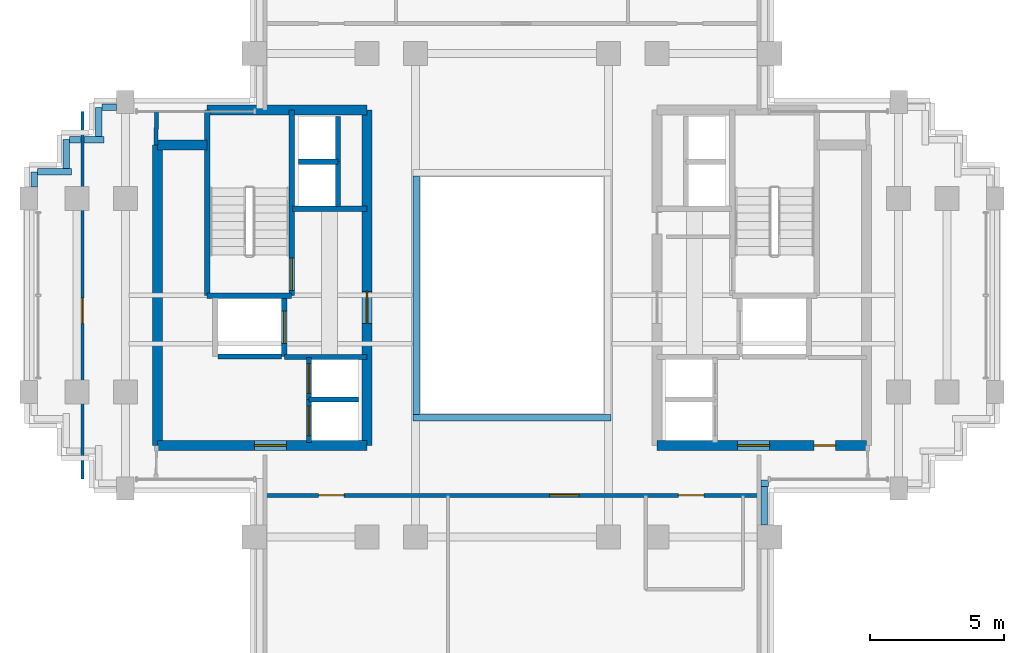
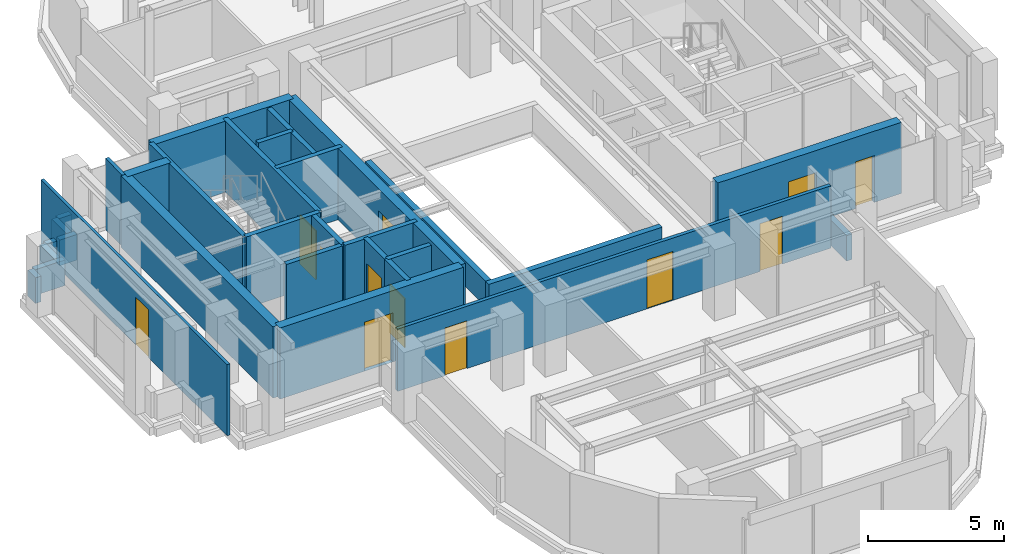
# One storey, part 6 of 11: 33 walls, 12 doors, 12 openings.
"""IFC4 building model written with IfcOpenShell, lengths in metres."""

from ifc_helpers import new_model, si_unit, direction, frame, frame_2d, origin, place, context, subcontext, project, spatial, rectangle, extrude, source, transform, mapped, material, layer, layer_set, type_object, element, fill, save


model = new_model("IFC4")

# Units and contexts
model_context = context("Model", 3, precision=1e-05, world=origin(), true_north=direction((0.0, 1.0)))
body_context = subcontext(model_context, "Body", "Model", "MODEL_VIEW")
ifc_project = project(units=[si_unit("LENGTHUNIT", "METRE"), si_unit("AREAUNIT", "SQUARE_METRE"), si_unit("VOLUMEUNIT", "CUBIC_METRE"), si_unit("PLANEANGLEUNIT", "RADIAN"), si_unit("MASSUNIT", "GRAM", prefix="KILO")], contexts=[model_context])

# Site, building, storey
site_placement = place(None, origin())
site = spatial("IfcSite", under=ifc_project, at=site_placement, CompositionType="ELEMENT")
building_placement = place(site_placement, origin())
building = spatial("IfcBuilding", under=site, at=building_placement, Name="Keilestroom Media Tower", CompositionType="ELEMENT")
storey_placement = place(building_placement, frame((0.0, 0.0, 174.0)))
storey = spatial("IfcBuildingStorey", under=building, at=storey_placement, Name="L47", CompositionType="ELEMENT", Elevation=174.0)

# Wall, opening, door
ifc_material_1 = material(Name="Gypsum Plasterboard & Steel Stud", Category="steel")
ifc_layer_1 = layer(ifc_material_1, 0.1201171875)
ifc_layer_set_1 = layer_set([ifc_layer_1], Name="Gypsum Plasterboard & Steel Stud")
wall_type_1 = type_object("IfcWallType", Name="Interior-Partition-Wall-120", PredefinedType="PARTITIONING", material=ifc_layer_set_1)
wall_1_placement = place(storey_placement, frame((-16.0, -6.85009765625, 0.0), z_axis=(0.0, 0.0, 1.0), x_axis=(0.0, 1.0, 0.0)))
wall_1 = element("IfcWall", 1, at=wall_1_placement, inside=storey, type_object=wall_type_1, Name="L47 Interior Wall WP-L47-WA-V", PredefinedType="PARTITIONING", context=body_context, shape_type="SweptSolid", body=[
    extrude(rectangle(XDim=13.7001953125, YDim=0.1201171875, at=frame_2d((6.85009765625, 0.0))), origin(), (0.0, 0.0, 1.0), 3.199951171875),
])
opening_1_placement = place(wall_1_placement, frame((5.800048828125, 0.0, 0.0)))
opening_1 = element("IfcOpeningElement", 2, at=opening_1_placement, cuts=wall_1, Name="Opening DI-03", PredefinedType="OPENING", context=body_context, shape_type="SweptSolid", body=[
    extrude(rectangle(XDim=0.949951171875, YDim=2.14990234375, at=frame_2d((0.47509765625, 1.074951171875))), frame((0.0, 0.070068359375, 0.0), z_axis=(0.0, -1.0, 0.0), x_axis=(1.0, 0.0, 0.0)), (0.0, 0.0, 1.0), 0.14013671875),
])
ifc_material_2 = material(Name="Lacquered European Oak Leaf", Category="wood")
door_type_1 = type_object("IfcDoorType", Name="Interior-Room-And-Suite-Door-DI-03", OperationType="NOTDEFINED", PredefinedType="DOOR", material=ifc_material_2)
shared_shape_1 = source(origin(), body_context, "Body", "SweptSolid", [
    extrude(rectangle(XDim=0.949951171875, YDim=2.14990234375, at=frame_2d((0.47509765625, 1.074951171875))), frame((0.0, 0.02490234375, 0.0), z_axis=(0.0, -1.0, 0.0), x_axis=(1.0, 0.0, 0.0)), (0.0, 0.0, 1.0), 0.050048828125),
])
door_1_placement = place(opening_1_placement, origin())
door_1 = element("IfcDoor", 3, at=door_1_placement, inside=storey, type_object=door_type_1, Name="L47 Interior Door DI-L47-DWA-W", OperationType="SINGLE_SWING_LEFT", OverallHeight=2.14990234375, OverallWidth=0.949951171875, PredefinedType="DOOR", context=body_context, shape_type="MappedRepresentation", body=[
    mapped(shared_shape_1, transform((0.0, 0.0, 0.0), x_axis=(1.0, 0.0, 0.0), y_axis=(0.0, 1.0, 0.0), z_axis=(0.0, 0.0, 1.0), scale=1.0)),
])
fill(opening_1, door_1)

# Wall, openings, doors
ifc_layer_2 = layer(ifc_material_1, 0.14990234375)
ifc_layer_set_2 = layer_set([ifc_layer_2], Name="Gypsum Plasterboard & Steel Stud")
wall_type_2 = type_object("IfcWallType", Name="Interior-Partition-Wall-150", PredefinedType="PARTITIONING", material=ifc_layer_set_2)
wall_2_placement = place(storey_placement, frame((-9.199951171875, -7.449951171875, 0.0), z_axis=(0.0, 0.0, 1.0), x_axis=(1.0, 0.0, 0.0)))
wall_2 = element("IfcWall", 4, at=wall_2_placement, inside=storey, type_object=wall_type_2, Name="L47 Interior Wall WP-L47-SL-BASE", PredefinedType="PARTITIONING", context=body_context, shape_type="SweptSolid", body=[
    extrude(rectangle(XDim=18.39990234375, YDim=0.14990234375, at=frame_2d((9.199951171875, 0.0))), origin(), (0.0, 0.0, 1.0), 2.800048828125),
])
opening_2_placement = place(wall_2_placement, frame((15.39990234375, 0.0, 0.0)))
opening_2 = element("IfcOpeningElement", 5, at=opening_2_placement, cuts=wall_2, Name="Opening DI-03", PredefinedType="OPENING", context=body_context, shape_type="SweptSolid", body=[
    extrude(rectangle(XDim=0.949951171875, YDim=2.14990234375, at=frame_2d((0.47509765625, 1.074951171875))), frame((0.0, 0.0849609375, 0.0), z_axis=(0.0, -1.0, 0.0), x_axis=(1.0, 0.0, 0.0)), (0.0, 0.0, 1.0), 0.169921875),
])
opening_3_placement = place(wall_2_placement, frame((2.0, 0.0, 0.0)))
opening_3 = element("IfcOpeningElement", 6, at=opening_3_placement, cuts=wall_2, Name="Opening DI-03", PredefinedType="OPENING", context=body_context, shape_type="SweptSolid", body=[
    extrude(rectangle(XDim=0.949951171875, YDim=2.14990234375, at=frame_2d((0.47509765625, 1.074951171875))), frame((0.0, 0.0849609375, 0.0), z_axis=(0.0, -1.0, 0.0), x_axis=(1.0, 0.0, 0.0)), (0.0, 0.0, 1.0), 0.169921875),
])
opening_4_placement = place(wall_2_placement, frame((10.60009765625, 0.0, 0.0)))
opening_4 = element("IfcOpeningElement", 7, at=opening_4_placement, cuts=wall_2, Name="Opening DI-04", PredefinedType="OPENING", context=body_context, shape_type="SweptSolid", body=[
    extrude(rectangle(XDim=1.10009765625, YDim=2.199951171875, at=frame_2d((0.550048828125, 1.10009765625))), frame((0.0, 0.0849609375, 0.0), z_axis=(0.0, -1.0, 0.0), x_axis=(1.0, 0.0, 0.0)), (0.0, 0.0, 1.0), 0.169921875),
])
door_2_placement = place(opening_2_placement, origin())
door_2 = element("IfcDoor", 8, at=door_2_placement, inside=storey, type_object=door_type_1, Name="L47 Interior Door DI-L47-DSL-WC1", OperationType="SINGLE_SWING_LEFT", OverallHeight=2.14990234375, OverallWidth=0.949951171875, PredefinedType="DOOR", context=body_context, shape_type="MappedRepresentation", body=[
    mapped(shared_shape_1, transform((0.0, 0.0, 0.0), x_axis=(1.0, 0.0, 0.0), y_axis=(0.0, 1.0, 0.0), z_axis=(0.0, 0.0, 1.0), scale=1.0)),
])
fill(opening_2, door_2)
door_3_placement = place(opening_3_placement, origin())
door_3 = element("IfcDoor", 9, at=door_3_placement, inside=storey, type_object=door_type_1, Name="L47 Interior Door DI-L47-DSL-W", OperationType="SINGLE_SWING_RIGHT", OverallHeight=2.14990234375, OverallWidth=0.949951171875, PredefinedType="DOOR", context=body_context, shape_type="MappedRepresentation", body=[
    mapped(shared_shape_1, transform((0.0, 0.0, 0.0), x_axis=(1.0, 0.0, 0.0), y_axis=(0.0, 1.0, 0.0), z_axis=(0.0, 0.0, 1.0), scale=1.0)),
])
fill(opening_3, door_3)
ifc_material_3 = material(Name="Acoustic Glazed Aluminium Leaf", Category="aluminium")
door_type_2 = type_object("IfcDoorType", Name="Interior-Room-And-Suite-Door-DI-04", OperationType="NOTDEFINED", PredefinedType="DOOR", material=ifc_material_3)
shared_shape_2 = source(origin(), body_context, "Body", "SweptSolid", [
    extrude(rectangle(XDim=1.10009765625, YDim=2.199951171875, at=frame_2d((0.550048828125, 1.10009765625))), frame((0.0, 0.02490234375, 0.0), z_axis=(0.0, -1.0, 0.0), x_axis=(1.0, 0.0, 0.0)), (0.0, 0.0, 1.0), 0.050048828125),
])
door_4_placement = place(opening_4_placement, origin())
door_4 = element("IfcDoor", 10, at=door_4_placement, inside=storey, type_object=door_type_2, Name="L47 Interior Door DI-L47-DSL-E", OperationType="SINGLE_SWING_LEFT", OverallHeight=2.199951171875, OverallWidth=1.10009765625, PredefinedType="DOOR", context=body_context, shape_type="MappedRepresentation", body=[
    mapped(shared_shape_2, transform((0.0, 0.0, 0.0), x_axis=(1.0, 0.0, 0.0), y_axis=(0.0, 1.0, 0.0), z_axis=(0.0, 0.0, 1.0), scale=1.0)),
])
fill(opening_4, door_4)

# Walls
wall_3_placement = place(storey_placement, frame((-13.260009765625, 5.60009765625, 0.0), z_axis=(0.0, 0.0, 1.0), x_axis=(0.016013571389, 0.999871774545, 0.0)))
element("IfcWall", 11, at=wall_3_placement, inside=storey, type_object=wall_type_2, Name="L47 Interior Wall WP-L47-WA-ENTN", PredefinedType="PARTITIONING", context=body_context, shape_type="SweptSolid", body=[
    extrude(rectangle(XDim=1.250244140625, YDim=0.14990234375, at=frame_2d((0.625, 0.0))), origin(), (0.0, 0.0, 1.0), 3.199951171875),
])
ifc_material_4 = material(Name="Concrete C55/67", Category="concrete")
ifc_layer_3 = layer(ifc_material_4, 0.3798828125)
ifc_layer_set_3 = layer_set([ifc_layer_3], Name="Concrete C55/67")
wall_type_3 = type_object("IfcWallType", Name="Reinforced-Concrete-Core-Shear-Wall-380", PredefinedType="SHEAR", material=ifc_layer_set_3)
wall_4_placement = place(storey_placement, frame((-13.199951171875, -5.60009765625, 0.0), z_axis=(0.0, 0.0, 1.0), x_axis=(0.0, 1.0, 0.0)))
element("IfcWall", 12, at=wall_4_placement, inside=storey, type_object=wall_type_3, Name="L47 Core Shear Wall WL-L47-CORE-W-OUT", PredefinedType="SHEAR", context=body_context, shape_type="SweptSolid", body=[
    extrude(rectangle(XDim=11.2001953125, YDim=0.3798828125, at=frame_2d((5.60009765625, 0.0))), origin(), (0.0, 0.0, 1.0), 3.199951171875),
])

# Wall, opening, door
wall_5_placement = place(storey_placement, frame((-5.39990234375, -5.60009765625, 0.0), z_axis=(0.0, 0.0, 1.0), x_axis=(0.0, 1.0, 0.0)))
wall_5 = element("IfcWall", 13, at=wall_5_placement, inside=storey, type_object=wall_type_3, Name="L47 Core Shear Wall WL-L47-CORE-W-IN", PredefinedType="SHEAR", context=body_context, shape_type="SweptSolid", body=[
    extrude(rectangle(XDim=12.5, YDim=0.3798828125, at=frame_2d((6.25, 0.0))), origin(), (0.0, 0.0, 1.0), 3.199951171875),
])
opening_5_placement = place(wall_5_placement, frame((4.550048828125, 0.0, 0.0)))
opening_5 = element("IfcOpeningElement", 14, at=opening_5_placement, cuts=wall_5, Name="Opening DI-02", PredefinedType="OPENING", context=body_context, shape_type="SweptSolid", body=[
    extrude(rectangle(XDim=1.199951171875, YDim=2.199951171875, at=frame_2d((0.60009765625, 1.10009765625))), frame((0.0, 0.199951171875, 0.0), z_axis=(0.0, -1.0, 0.0), x_axis=(1.0, 0.0, 0.0)), (0.0, 0.0, 1.0), 0.39990234375),
])
ifc_material_5 = material(Name="Powder-Coated Steel Fire Leaf", Category="steel")
door_type_3 = type_object("IfcDoorType", Name="Interior-Compartment-Fire-Door-DI-02", OperationType="NOTDEFINED", PredefinedType="DOOR", material=ifc_material_5)
shared_shape_3 = source(origin(), body_context, "Body", "SweptSolid", [
    extrude(rectangle(XDim=1.199951171875, YDim=2.199951171875, at=frame_2d((0.60009765625, 1.10009765625))), frame((0.0, 0.02490234375, 0.0), z_axis=(0.0, -1.0, 0.0), x_axis=(1.0, 0.0, 0.0)), (0.0, 0.0, 1.0), 0.050048828125),
])
door_5_placement = place(opening_5_placement, origin())
door_5 = element("IfcDoor", 15, at=door_5_placement, inside=storey, type_object=door_type_3, Name="L47 W Firefighting Lobby Door", OperationType="SINGLE_SWING_RIGHT", OverallHeight=2.199951171875, OverallWidth=1.199951171875, PredefinedType="DOOR", context=body_context, shape_type="MappedRepresentation", body=[
    mapped(shared_shape_3, transform((0.0, 0.0, 0.0), x_axis=(1.0, 0.0, 0.0), y_axis=(0.0, 1.0, 0.0), z_axis=(0.0, 0.0, 1.0), scale=1.0)),
])
fill(opening_5, door_5)

# Walls
wall_6_placement = place(storey_placement, frame((-11.35595703125, 6.89990234375, 0.0), z_axis=(0.0, 0.0, 1.0), x_axis=(1.0, 0.0, 0.0)))
element("IfcWall", 16, at=wall_6_placement, inside=storey, type_object=wall_type_3, Name="L47 Core Shear Wall WL-L47-CORE-W-N", PredefinedType="SHEAR", context=body_context, shape_type="SweptSolid", body=[
    extrude(rectangle(XDim=5.9560546875, YDim=0.3798828125, at=frame_2d((2.97802734375, 0.0))), origin(), (0.0, 0.0, 1.0), 3.199951171875),
])
wall_7_placement = place(storey_placement, frame((-13.199951171875, 5.60009765625, 0.0), z_axis=(0.0, 0.0, 1.0), x_axis=(1.0, 0.0, 0.0)))
element("IfcWall", 17, at=wall_7_placement, inside=storey, type_object=wall_type_3, Name="L47 Core Shear Wall WL-L47-CNW-N", PredefinedType="SHEAR", context=body_context, shape_type="SweptSolid", body=[
    extrude(rectangle(XDim=1.843994140625, YDim=0.3798828125, at=frame_2d((0.921875, 0.0))), origin(), (0.0, 0.0, 1.0), 3.199951171875),
])

# Wall, opening, door
wall_8_placement = place(storey_placement, frame((-13.199951171875, -5.60009765625, 0.0), z_axis=(0.0, 0.0, 1.0), x_axis=(1.0, 0.0, 0.0)))
wall_8 = element("IfcWall", 18, at=wall_8_placement, inside=storey, type_object=wall_type_3, Name="L47 Core Shear Wall WL-L47-CORE-W-S", PredefinedType="SHEAR", context=body_context, shape_type="SweptSolid", body=[
    extrude(rectangle(XDim=7.800048828125, YDim=0.3798828125, at=frame_2d((3.89990234375, 0.0))), origin(), (0.0, 0.0, 1.0), 3.199951171875),
])
opening_6_placement = place(wall_8_placement, frame((3.60009765625, 0.0, 0.0)))
opening_6 = element("IfcOpeningElement", 19, at=opening_6_placement, cuts=wall_8, Name="Opening DI-02", PredefinedType="OPENING", context=body_context, shape_type="SweptSolid", body=[
    extrude(rectangle(XDim=1.199951171875, YDim=2.199951171875, at=frame_2d((0.60009765625, 1.10009765625))), frame((0.0, 0.199951171875, 0.0), z_axis=(0.0, -1.0, 0.0), x_axis=(1.0, 0.0, 0.0)), (0.0, 0.0, 1.0), 0.39990234375),
])
door_6_placement = place(opening_6_placement, origin())
door_6 = element("IfcDoor", 20, at=door_6_placement, inside=storey, type_object=door_type_3, Name="L47 W Passenger Lift Lobby Door", OperationType="SINGLE_SWING_LEFT", OverallHeight=2.199951171875, OverallWidth=1.199951171875, PredefinedType="DOOR", context=body_context, shape_type="MappedRepresentation", body=[
    mapped(shared_shape_3, transform((0.0, 0.0, 0.0), x_axis=(1.0, 0.0, 0.0), y_axis=(0.0, 1.0, 0.0), z_axis=(0.0, 0.0, 1.0), scale=1.0)),
])
fill(opening_6, door_6)

# Wall, openings, doors
wall_9_placement = place(storey_placement, frame((5.39990234375, -5.60009765625, 0.0), z_axis=(0.0, 0.0, 1.0), x_axis=(1.0, 0.0, 0.0)))
wall_9 = element("IfcWall", 21, at=wall_9_placement, inside=storey, type_object=wall_type_3, Name="L47 Core Shear Wall WL-L47-CORE-E-S", PredefinedType="SHEAR", context=body_context, shape_type="SweptSolid", body=[
    extrude(rectangle(XDim=7.800048828125, YDim=0.3798828125, at=frame_2d((3.89990234375, 0.0))), origin(), (0.0, 0.0, 1.0), 3.199951171875),
])
opening_7_placement = place(wall_9_placement, frame((3.0, 0.0, 0.0)))
opening_7 = element("IfcOpeningElement", 22, at=opening_7_placement, cuts=wall_9, Name="Opening DI-02", PredefinedType="OPENING", context=body_context, shape_type="SweptSolid", body=[
    extrude(rectangle(XDim=1.199951171875, YDim=2.199951171875, at=frame_2d((0.60009765625, 1.10009765625))), frame((0.0, 0.199951171875, 0.0), z_axis=(0.0, -1.0, 0.0), x_axis=(1.0, 0.0, 0.0)), (0.0, 0.0, 1.0), 0.39990234375),
])
opening_8_placement = place(wall_9_placement, frame((5.85009765625, 0.0, 0.0)))
opening_8 = element("IfcOpeningElement", 23, at=opening_8_placement, cuts=wall_9, Name="Opening DI-06", PredefinedType="OPENING", context=body_context, shape_type="SweptSolid", body=[
    extrude(rectangle(XDim=0.800048828125, YDim=2.10009765625, at=frame_2d((0.39990234375, 1.050048828125))), frame((0.0, 0.199951171875, 0.0), z_axis=(0.0, -1.0, 0.0), x_axis=(1.0, 0.0, 0.0)), (0.0, 0.0, 1.0), 0.39990234375),
])
door_7_placement = place(opening_7_placement, origin())
door_7 = element("IfcDoor", 24, at=door_7_placement, inside=storey, type_object=door_type_3, Name="L47 E Passenger Lift Lobby Door", OperationType="SINGLE_SWING_RIGHT", OverallHeight=2.199951171875, OverallWidth=1.199951171875, PredefinedType="DOOR", context=body_context, shape_type="MappedRepresentation", body=[
    mapped(shared_shape_3, transform((0.0, 0.0, 0.0), x_axis=(1.0, 0.0, 0.0), y_axis=(0.0, 1.0, 0.0), z_axis=(0.0, 0.0, 1.0), scale=1.0)),
])
fill(opening_7, door_7)
ifc_material_6 = material(Name="Powder-Coated Steel Service Leaf", Category="steel")
door_type_4 = type_object("IfcDoorType", Name="Interior-Riser-Access-Door-DI-06", OperationType="NOTDEFINED", PredefinedType="DOOR", material=ifc_material_6)
shared_shape_4 = source(origin(), body_context, "Body", "SweptSolid", [
    extrude(rectangle(XDim=0.800048828125, YDim=2.10009765625, at=frame_2d((0.39990234375, 1.050048828125))), frame((0.0, 0.02490234375, 0.0), z_axis=(0.0, -1.0, 0.0), x_axis=(1.0, 0.0, 0.0)), (0.0, 0.0, 1.0), 0.050048828125),
])
door_8_placement = place(opening_8_placement, origin())
door_8 = element("IfcDoor", 25, at=door_8_placement, inside=storey, type_object=door_type_4, Name="L47 Reclaimed East Core Room Door", OperationType="SINGLE_SWING_RIGHT", OverallHeight=2.10009765625, OverallWidth=0.800048828125, PredefinedType="DOOR", context=body_context, shape_type="MappedRepresentation", body=[
    mapped(shared_shape_4, transform((0.0, 0.0, 0.0), x_axis=(1.0, 0.0, 0.0), y_axis=(0.0, 1.0, 0.0), z_axis=(0.0, 0.0, 1.0), scale=1.0)),
])
fill(opening_8, door_8)

# Walls
ifc_material_7 = material(Name="Concrete C50/60", Category="concrete")
ifc_layer_4 = layer(ifc_material_7, 0.199951171875)
ifc_layer_set_4 = layer_set([ifc_layer_4], Name="Concrete C50/60")
wall_type_4 = type_object("IfcWallType", Name="Reinforced-Concrete-Shaft-Wall-200", PredefinedType="SOLIDWALL", material=ifc_layer_set_4)
wall_10_placement = place(storey_placement, frame((-8.179931640625, 3.219970703125, 0.0), z_axis=(0.0, 0.0, 1.0), x_axis=(1.0, 0.0, 0.0)))
element("IfcWall", 26, at=wall_10_placement, inside=storey, type_object=wall_type_4, Name="L47 Core Shear Wall WL-L47-CORE-W-FFN", PredefinedType="SOLIDWALL", context=body_context, shape_type="SweptSolid", body=[
    extrude(rectangle(XDim=2.780029296875, YDim=0.199951171875, at=frame_2d((1.39013671875, 0.0))), origin(), (0.0, 0.0, 1.0), 3.199951171875),
])
wall_11_placement = place(storey_placement, frame((-8.47998046875, -2.300048828125, 0.0), z_axis=(0.0, 0.0, 1.0), x_axis=(1.0, 0.0, 0.0)))
element("IfcWall", 27, at=wall_11_placement, inside=storey, type_object=wall_type_4, Name="L47 Core Shear Wall WL-L47-CORE-W-FFS", PredefinedType="SOLIDWALL", context=body_context, shape_type="SweptSolid", body=[
    extrude(rectangle(XDim=3.080078125, YDim=0.199951171875, at=frame_2d((1.5400390625, 0.0))), origin(), (0.0, 0.0, 1.0), 3.199951171875),
])

# Wall, opening, door
wall_12_placement = place(storey_placement, frame((-8.2041015625, -0.01611328125, 0.0), z_axis=(0.0, 0.0, 1.0), x_axis=(0.0, 1.0, 0.0)))
wall_12 = element("IfcWall", 28, at=wall_12_placement, inside=storey, type_object=wall_type_4, Name="L47 Core Shear Wall WL-L47-STW-W-NEAR", PredefinedType="SOLIDWALL", context=body_context, shape_type="SweptSolid", body=[
    extrude(rectangle(XDim=6.916015625, YDim=0.199951171875, at=frame_2d((3.4580078125, 0.0))), origin(), (0.0, 0.0, 1.0), 3.199951171875),
])
opening_9_placement = place(wall_12_placement, frame((0.199951171875, 0.0, 0.0)))
opening_9 = element("IfcOpeningElement", 29, at=opening_9_placement, cuts=wall_12, Name="Opening DI-01S", PredefinedType="OPENING", context=body_context, shape_type="SweptSolid", body=[
    extrude(rectangle(XDim=1.199951171875, YDim=2.199951171875, at=frame_2d((0.60009765625, 1.10009765625))), frame((0.0, 0.10986328125, 0.0), z_axis=(0.0, -1.0, 0.0), x_axis=(1.0, 0.0, 0.0)), (0.0, 0.0, 1.0), 0.219970703125),
])
door_type_5 = type_object("IfcDoorType", Name="Interior-Stair-And-Core-Fire-Door-DI-01", OperationType="NOTDEFINED", PredefinedType="DOOR", material=ifc_material_5)
door_9_placement = place(opening_9_placement, origin())
door_9 = element("IfcDoor", 30, at=door_9_placement, inside=storey, type_object=door_type_5, Name="L47 Escape Stair ST-1 Fire Door", OperationType="SINGLE_SWING_LEFT", OverallHeight=2.199951171875, OverallWidth=1.199951171875, PredefinedType="DOOR", context=body_context, shape_type="MappedRepresentation", body=[
    mapped(shared_shape_3, transform((0.0, 0.0, 0.0), x_axis=(1.0, 0.0, 0.0), y_axis=(0.0, 1.0, 0.0), z_axis=(0.0, 0.0, 1.0), scale=1.0)),
])
fill(opening_9, door_9)

# Walls
wall_13_placement = place(storey_placement, frame((-11.35595703125, -0.01611328125, 0.0), z_axis=(0.0, 0.0, 1.0), x_axis=(0.0, 1.0, 0.0)))
element("IfcWall", 31, at=wall_13_placement, inside=storey, type_object=wall_type_4, Name="L47 Core Shear Wall WL-L47-STW-W-FAR", PredefinedType="SOLIDWALL", context=body_context, shape_type="SweptSolid", body=[
    extrude(rectangle(XDim=6.916015625, YDim=0.199951171875, at=frame_2d((3.4580078125, 0.0))), origin(), (0.0, 0.0, 1.0), 3.199951171875),
])
wall_14_placement = place(storey_placement, frame((-11.35595703125, -0.01611328125, 0.0), z_axis=(0.0, 0.0, 1.0), x_axis=(1.0, 0.0, 0.0)))
element("IfcWall", 32, at=wall_14_placement, inside=storey, type_object=wall_type_4, Name="L47 Core Shear Wall WL-L47-STW-W-S", PredefinedType="SOLIDWALL", context=body_context, shape_type="SweptSolid", body=[
    extrude(rectangle(XDim=3.15185546875, YDim=0.199951171875, at=frame_2d((1.575927734375, 0.0))), origin(), (0.0, 0.0, 1.0), 3.199951171875),
])

# Wall, opening, door
wall_15_placement = place(storey_placement, frame((-8.47998046875, -2.280029296875, 0.0), z_axis=(0.0, 0.0, 1.0), x_axis=(0.0, 1.0, 0.0)))
wall_15 = element("IfcWall", 33, at=wall_15_placement, inside=storey, type_object=wall_type_4, Name="L47 Core Shear Wall WL-L47-LSH-FFL-1-E", PredefinedType="SOLIDWALL", context=body_context, shape_type="SweptSolid", body=[
    extrude(rectangle(XDim=2.179931640625, YDim=0.199951171875, at=frame_2d((1.08984375, 0.0))), origin(), (0.0, 0.0, 1.0), 3.199951171875),
])
opening_10_placement = place(wall_15_placement, frame((0.489990234375, 0.0, 0.0)))
opening_10 = element("IfcOpeningElement", 34, at=opening_10_placement, cuts=wall_15, Name="Opening LD-02", PredefinedType="OPENING", context=body_context, shape_type="SweptSolid", body=[
    extrude(rectangle(XDim=1.199951171875, YDim=2.199951171875, at=frame_2d((0.60009765625, 1.10009765625))), frame((0.0, 0.10986328125, 0.0), z_axis=(0.0, -1.0, 0.0), x_axis=(1.0, 0.0, 0.0)), (0.0, 0.0, 1.0), 0.219970703125),
])
ifc_material_8 = material(Name="Brushed Stainless Steel Sliding Leaf", Category="steel")
door_type_6 = type_object("IfcDoorType", Name="Lift-Landing-Sliding-Door-LD-02", OperationType="SLIDING_TO_RIGHT", PredefinedType="DOOR", material=ifc_material_8)
door_10_placement = place(opening_10_placement, origin())
door_10 = element("IfcDoor", 35, at=door_10_placement, inside=storey, type_object=door_type_6, Name="L47 Lift FFL-1 Landing Sliding Door", OperationType="SLIDING_TO_RIGHT", OverallHeight=2.199951171875, OverallWidth=1.199951171875, PredefinedType="DOOR", context=body_context, shape_type="MappedRepresentation", body=[
    mapped(shared_shape_3, transform((0.0, 0.0, 0.0), x_axis=(1.0, 0.0, 0.0), y_axis=(0.0, 1.0, 0.0), z_axis=(0.0, 0.0, 1.0), scale=1.0)),
])
fill(opening_10, door_10)

# Wall
wall_16_placement = place(storey_placement, frame((-10.946044921875, -2.280029296875, 0.0), z_axis=(0.0, 0.0, 1.0), x_axis=(1.0, 0.0, 0.0)))
element("IfcWall", 36, at=wall_16_placement, inside=storey, type_object=wall_type_4, Name="L47 Core Shear Wall WL-L47-LSH-FFL-1-S", PredefinedType="SOLIDWALL", context=body_context, shape_type="SweptSolid", body=[
    extrude(rectangle(XDim=2.362060546875, YDim=0.199951171875, at=frame_2d((1.18115234375, 0.0))), origin(), (0.0, 0.0, 1.0), 3.199951171875),
])

# Wall, opening, door
wall_17_placement = place(storey_placement, frame((-7.56005859375, -5.47998046875, 0.0), z_axis=(0.0, 0.0, 1.0), x_axis=(0.0, 1.0, 0.0)))
wall_17 = element("IfcWall", 37, at=wall_17_placement, inside=storey, type_object=wall_type_4, Name="L47 Core Shear Wall WL-L47-LSH-PL-M1-W", PredefinedType="SOLIDWALL", context=body_context, shape_type="SweptSolid", body=[
    extrude(rectangle(XDim=1.60009765625, YDim=0.199951171875, at=frame_2d((0.800048828125, 0.0))), origin(), (0.0, 0.0, 1.0), 3.199951171875),
])
opening_11_placement = place(wall_17_placement, frame((0.25, 0.0, 0.0)))
opening_11 = element("IfcOpeningElement", 38, at=opening_11_placement, cuts=wall_17, Name="Opening LD-01", PredefinedType="OPENING", context=body_context, shape_type="SweptSolid", body=[
    extrude(rectangle(XDim=1.10009765625, YDim=2.199951171875, at=frame_2d((0.550048828125, 1.10009765625))), frame((0.0, 0.10986328125, 0.0), z_axis=(0.0, -1.0, 0.0), x_axis=(1.0, 0.0, 0.0)), (0.0, 0.0, 1.0), 0.219970703125),
])
door_type_7 = type_object("IfcDoorType", Name="Lift-Landing-Sliding-Door-LD-01", OperationType="SLIDING_TO_LEFT", PredefinedType="DOOR", material=ifc_material_8)
door_11_placement = place(opening_11_placement, origin())
door_11 = element("IfcDoor", 39, at=door_11_placement, inside=storey, type_object=door_type_7, Name="L47 Lift PL-M1 Landing Sliding Door", OperationType="SLIDING_TO_LEFT", OverallHeight=2.199951171875, OverallWidth=1.10009765625, PredefinedType="DOOR", context=body_context, shape_type="MappedRepresentation", body=[
    mapped(shared_shape_2, transform((0.0, 0.0, 0.0), x_axis=(1.0, 0.0, 0.0), y_axis=(0.0, 1.0, 0.0), z_axis=(0.0, 0.0, 1.0), scale=1.0)),
])
fill(opening_11, door_11)

# Wall
wall_18_placement = place(storey_placement, frame((-7.56005859375, -3.8798828125, 0.0), z_axis=(0.0, 0.0, 1.0), x_axis=(1.0, 0.0, 0.0)))
element("IfcWall", 40, at=wall_18_placement, inside=storey, type_object=wall_type_4, Name="L47 Core Shear Wall WL-L47-LSH-PL-M1-N", PredefinedType="SOLIDWALL", context=body_context, shape_type="SweptSolid", body=[
    extrude(rectangle(XDim=1.840087890625, YDim=0.199951171875, at=frame_2d((0.919921875, 0.0))), origin(), (0.0, 0.0, 1.0), 3.199951171875),
])

# Wall, opening, door
wall_19_placement = place(storey_placement, frame((-7.56005859375, -3.8798828125, 0.0), z_axis=(0.0, 0.0, 1.0), x_axis=(0.0, 1.0, 0.0)))
wall_19 = element("IfcWall", 41, at=wall_19_placement, inside=storey, type_object=wall_type_4, Name="L47 Core Shear Wall WL-L47-LSH-PL-M2-W", PredefinedType="SOLIDWALL", context=body_context, shape_type="SweptSolid", body=[
    extrude(rectangle(XDim=1.559814453125, YDim=0.199951171875, at=frame_2d((0.77978515625, 0.0))), origin(), (0.0, 0.0, 1.0), 3.199951171875),
])
opening_12_placement = place(wall_19_placement, frame((0.22998046875, 0.0, 0.0)))
opening_12 = element("IfcOpeningElement", 42, at=opening_12_placement, cuts=wall_19, Name="Opening LD-01", PredefinedType="OPENING", context=body_context, shape_type="SweptSolid", body=[
    extrude(rectangle(XDim=1.10009765625, YDim=2.199951171875, at=frame_2d((0.550048828125, 1.10009765625))), frame((0.0, 0.10986328125, 0.0), z_axis=(0.0, -1.0, 0.0), x_axis=(1.0, 0.0, 0.0)), (0.0, 0.0, 1.0), 0.219970703125),
])
door_12_placement = place(opening_12_placement, origin())
door_12 = element("IfcDoor", 43, at=door_12_placement, inside=storey, type_object=door_type_7, Name="L47 Lift PL-M2 Landing Sliding Door", OperationType="SLIDING_TO_LEFT", OverallHeight=2.199951171875, OverallWidth=1.10009765625, PredefinedType="DOOR", context=body_context, shape_type="MappedRepresentation", body=[
    mapped(shared_shape_2, transform((0.0, 0.0, 0.0), x_axis=(1.0, 0.0, 0.0), y_axis=(0.0, 1.0, 0.0), z_axis=(0.0, 0.0, 1.0), scale=1.0)),
])
fill(opening_12, door_12)

# Walls
wall_20_placement = place(storey_placement, frame((-6.47998046875, 3.300048828125, 0.0), z_axis=(0.0, 0.0, 1.0), x_axis=(0.0, 1.0, 0.0)))
element("IfcWall", 44, at=wall_20_placement, inside=storey, type_object=wall_type_4, Name="L47 Core Shear Wall WL-L47-LSH-PL-H1-E", PredefinedType="SOLIDWALL", context=body_context, shape_type="SweptSolid", body=[
    extrude(rectangle(XDim=1.679931640625, YDim=0.199951171875, at=frame_2d((0.83984375, 0.0))), origin(), (0.0, 0.0, 1.0), 3.199951171875),
])
wall_21_placement = place(storey_placement, frame((-7.949951171875, 4.97998046875, 0.0), z_axis=(0.0, 0.0, 1.0), x_axis=(1.0, 0.0, 0.0)))
element("IfcWall", 45, at=wall_21_placement, inside=storey, type_object=wall_type_4, Name="L47 Core Shear Wall WL-L47-LSH-PL-H1-N", PredefinedType="SOLIDWALL", context=body_context, shape_type="SweptSolid", body=[
    extrude(rectangle(XDim=1.469970703125, YDim=0.199951171875, at=frame_2d((0.73486328125, 0.0))), origin(), (0.0, 0.0, 1.0), 3.199951171875),
])
wall_22_placement = place(storey_placement, frame((-6.47998046875, 4.97998046875, 0.0), z_axis=(0.0, 0.0, 1.0), x_axis=(0.0, 1.0, 0.0)))
element("IfcWall", 46, at=wall_22_placement, inside=storey, type_object=wall_type_4, Name="L47 Core Shear Wall WL-L47-LSH-PL-H2-E", PredefinedType="SOLIDWALL", context=body_context, shape_type="SweptSolid", body=[
    extrude(rectangle(XDim=1.669921875, YDim=0.199951171875, at=frame_2d((0.8349609375, 0.0))), origin(), (0.0, 0.0, 1.0), 3.199951171875),
])
ifc_material_9 = material(Name="Precast concrete C40/50", Category="concrete")
ifc_layer_5 = layer(ifc_material_9, 0.239990234375)
ifc_layer_set_5 = layer_set([ifc_layer_5], Name="Precast concrete C40/50")
wall_type_5 = type_object("IfcWallType", Name="Roof-And-Terrace-Parapet-Wall-240", PredefinedType="PARAPET", material=ifc_layer_set_5)
wall_23_placement = place(storey_placement, frame((9.547119140625, -7.0, 0.0), z_axis=(0.0, 0.0, 1.0), x_axis=(-1.0, 0.0, 0.0)))
element("IfcWall", 47, at=wall_23_placement, inside=storey, type_object=wall_type_5, Name="L47 Perimeter Edge Parapet Wall 06", PredefinedType="PARAPET", context=body_context, shape_type="SweptSolid", body=[
    extrude(rectangle(XDim=0.26904296875, YDim=0.239990234375, at=frame_2d((0.134521484375, 0.0))), origin(), (0.0, 0.0, 1.0), 1.14990234375),
])
wall_24_placement = place(storey_placement, frame((9.39990234375, -7.123046875, 0.0), z_axis=(0.0, 0.0, 1.0), x_axis=(0.0, -1.0, 0.0)))
element("IfcWall", 48, at=wall_24_placement, inside=storey, type_object=wall_type_5, Name="L47 Perimeter Edge Parapet Wall 07", PredefinedType="PARAPET", context=body_context, shape_type="SweptSolid", body=[
    extrude(rectangle(XDim=1.424072265625, YDim=0.239990234375, at=frame_2d((0.7119140625, 0.0))), origin(), (0.0, 0.0, 1.0), 1.14990234375),
])
wall_25_placement = place(storey_placement, frame((-17.800048828125, 4.028076171875, 0.0), z_axis=(0.0, 0.0, 1.0), x_axis=(0.0, 1.0, 0.0)))
element("IfcWall", 49, at=wall_25_placement, inside=storey, type_object=wall_type_5, Name="L47 Perimeter Edge Parapet Wall 19", PredefinedType="PARAPET", context=body_context, shape_type="SweptSolid", body=[
    extrude(rectangle(XDim=0.572021484375, YDim=0.239990234375, at=frame_2d((0.2861328125, 0.0))), origin(), (0.0, 0.0, 1.0), 1.14990234375),
])
wall_26_placement = place(storey_placement, frame((-17.677001953125, 4.60009765625, 0.0), z_axis=(0.0, 0.0, 1.0), x_axis=(1.0, 0.0, 0.0)))
element("IfcWall", 50, at=wall_26_placement, inside=storey, type_object=wall_type_5, Name="L47 Perimeter Edge Parapet Wall 20", PredefinedType="PARAPET", context=body_context, shape_type="SweptSolid", body=[
    extrude(rectangle(XDim=1.277099609375, YDim=0.239990234375, at=frame_2d((0.638671875, 0.0))), origin(), (0.0, 0.0, 1.0), 1.14990234375),
])
wall_27_placement = place(storey_placement, frame((-16.60009765625, 4.722900390625, 0.0), z_axis=(0.0, 0.0, 1.0), x_axis=(0.0, 1.0, 0.0)))
element("IfcWall", 51, at=wall_27_placement, inside=storey, type_object=wall_type_5, Name="L47 Perimeter Edge Parapet Wall 21", PredefinedType="PARAPET", context=body_context, shape_type="SweptSolid", body=[
    extrude(rectangle(XDim=1.0771484375, YDim=0.239990234375, at=frame_2d((0.53857421875, 0.0))), origin(), (0.0, 0.0, 1.0), 1.14990234375),
])
wall_28_placement = place(storey_placement, frame((-16.47705078125, 5.800048828125, 0.0), z_axis=(0.0, 0.0, 1.0), x_axis=(1.0, 0.0, 0.0)))
element("IfcWall", 52, at=wall_28_placement, inside=storey, type_object=wall_type_5, Name="L47 Perimeter Edge Parapet Wall 22", PredefinedType="PARAPET", context=body_context, shape_type="SweptSolid", body=[
    extrude(rectangle(XDim=0.4140625, YDim=0.239990234375, at=frame_2d((0.20703125, 0.0))), origin(), (0.0, 0.0, 1.0), 1.14990234375),
])
wall_29_placement = place(storey_placement, frame((-15.93701171875, 5.800048828125, 0.0), z_axis=(0.0, 0.0, 1.0), x_axis=(1.0, 0.0, 0.0)))
element("IfcWall", 53, at=wall_29_placement, inside=storey, type_object=wall_type_5, Name="L47 Perimeter Edge Parapet Wall 23", PredefinedType="PARAPET", context=body_context, shape_type="SweptSolid", body=[
    extrude(rectangle(XDim=0.737060546875, YDim=0.239990234375, at=frame_2d((0.36865234375, 0.0))), origin(), (0.0, 0.0, 1.0), 1.14990234375),
])
wall_30_placement = place(storey_placement, frame((-15.39990234375, 5.923095703125, 0.0), z_axis=(0.0, 0.0, 1.0), x_axis=(0.0, 1.0, 0.0)))
element("IfcWall", 54, at=wall_30_placement, inside=storey, type_object=wall_type_5, Name="L47 Perimeter Edge Parapet Wall 24", PredefinedType="PARAPET", context=body_context, shape_type="SweptSolid", body=[
    extrude(rectangle(XDim=1.076904296875, YDim=0.239990234375, at=frame_2d((0.53857421875, 0.0))), origin(), (0.0, 0.0, 1.0), 1.14990234375),
])
wall_31_placement = place(storey_placement, frame((-15.277099609375, 7.0, 0.0), z_axis=(0.0, 0.0, 1.0), x_axis=(1.0, 0.0, 0.0)))
element("IfcWall", 55, at=wall_31_placement, inside=storey, type_object=wall_type_5, Name="L47 Perimeter Edge Parapet Wall 25", PredefinedType="PARAPET", context=body_context, shape_type="SweptSolid", body=[
    extrude(rectangle(XDim=0.549072265625, YDim=0.239990234375, at=frame_2d((0.2744140625, 0.0))), origin(), (0.0, 0.0, 1.0), 1.14990234375),
])
wall_32_placement = place(storey_placement, frame((-3.679931640625, -4.56005859375, 0.0), z_axis=(0.0, 0.0, 1.0), x_axis=(1.0, 0.0, 0.0)))
element("IfcWall", 56, at=wall_32_placement, inside=storey, type_object=wall_type_5, Name="L47 Central Atrium Guard Parapet S", PredefinedType="PARAPET", context=body_context, shape_type="SweptSolid", body=[
    extrude(rectangle(XDim=7.35986328125, YDim=0.239990234375, at=frame_2d((3.679931640625, 0.0))), origin(), (0.0, 0.0, 1.0), 1.14990234375),
])
wall_33_placement = place(storey_placement, frame((-3.56005859375, -4.43505859375, 0.0), z_axis=(0.0, 0.0, 1.0), x_axis=(0.0, 1.0, 0.0)))
element("IfcWall", 57, at=wall_33_placement, inside=storey, type_object=wall_type_5, Name="L47 Central Atrium Guard Parapet W", PredefinedType="PARAPET", context=body_context, shape_type="SweptSolid", body=[
    extrude(rectangle(XDim=8.8701171875, YDim=0.239990234375, at=frame_2d((4.43505859375, 0.0))), origin(), (0.0, 0.0, 1.0), 1.14990234375),
])

save(model, "model.ifc")
